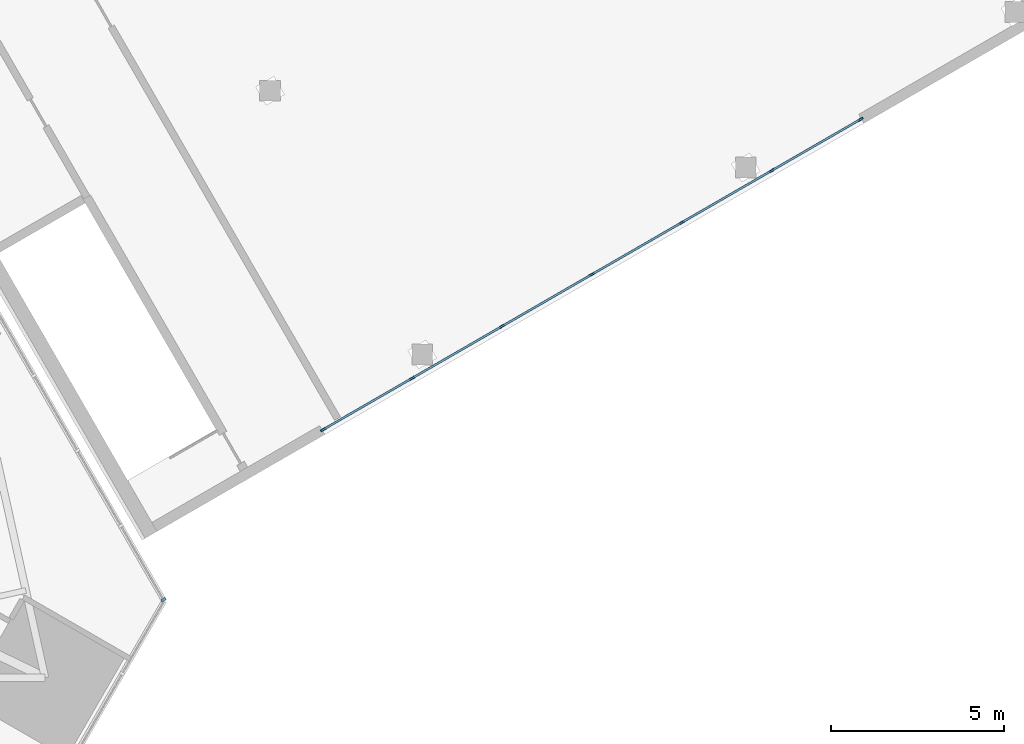
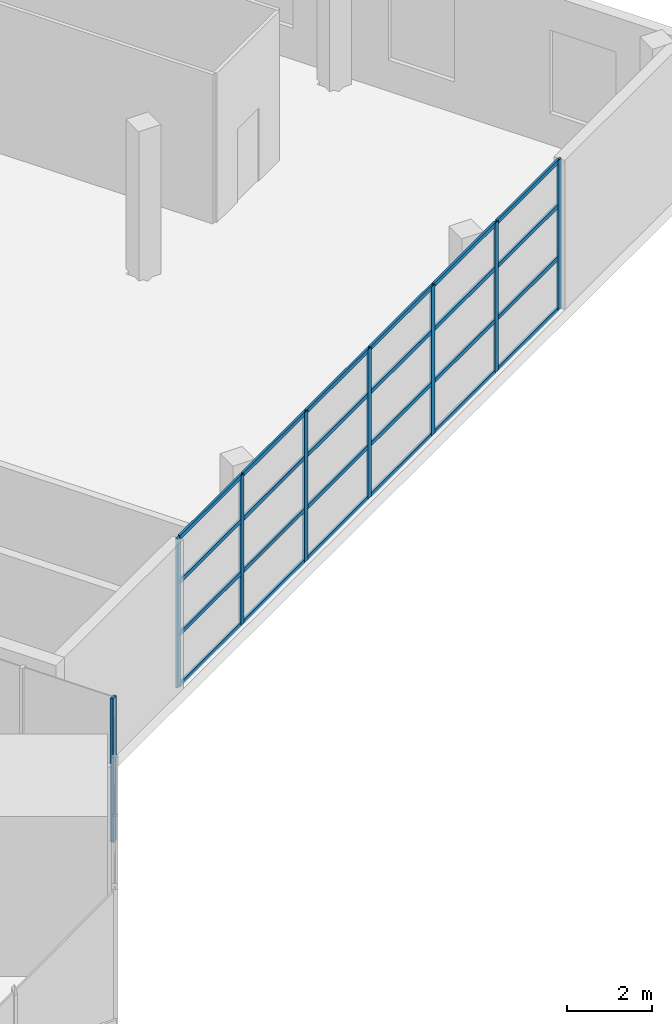
# One storey, part 12 of 23: 32 members, 2 elements without a shape of their own.
"""IFC4 building model written with IfcOpenShell, lengths in metres."""

from ifc_helpers import new_model, si_unit, direction, frame, origin, origin_2d, place, context, subcontext, project, spatial, rectangle, extrude, material, layer, layer_set, material_profile, profile_set, type_object, element, aggregate, save


model = new_model("IFC4")

# Units and contexts
model_context = context("Model", 3, precision=1e-05, world=origin(), true_north=direction((0.0, 1.0)))
body_context = subcontext(model_context, "Body", "Model", "MODEL_VIEW")
ifc_project = project(units=[si_unit("LENGTHUNIT", "METRE"), si_unit("AREAUNIT", "SQUARE_METRE"), si_unit("VOLUMEUNIT", "CUBIC_METRE"), si_unit("PLANEANGLEUNIT", "RADIAN"), si_unit("MASSUNIT", "GRAM", prefix="KILO")], contexts=[model_context])

# Site, building, storey
site_placement = place(None, origin())
site = spatial("IfcSite", under=ifc_project, at=site_placement, CompositionType="ELEMENT")
building_placement = place(site_placement, origin())
building = spatial("IfcBuilding", under=site, at=building_placement, Name="Firuza Gate Tower and Library", CompositionType="ELEMENT")
storey_placement = place(building_placement, frame((0.0, 0.0, 21.800048828125)))
storey = spatial("IfcBuildingStorey", under=building, at=storey_placement, Name="L04", CompositionType="ELEMENT", Elevation=21.800048828125)

# Curtain wall, member
ifc_material_1 = material(Name="Aluminium 6063-T6", Category="aluminium")
ifc_layer = layer(ifc_material_1, 0.14990234375)
ifc_layer_set = layer_set([ifc_layer], Name="Stick curtain wall, podium")
curtain_wall_type_1 = type_object("IfcCurtainWallType", Name="Stick curtain wall, podium", PredefinedType="NOTDEFINED", material=ifc_layer_set)
placement = place(storey_placement, origin())
curtain_wall_1 = element("IfcCurtainWall", 1, at=placement, inside=storey, type_object=curtain_wall_type_1, Name="CW5 L04 E", PredefinedType="NOTDEFINED")
ifc_material_2 = material(Name="Aluminium 6063-T6", Category="aluminium")
ifc_material_profile_1 = material_profile(ifc_material_2, rectangle(XDim=0.14990234375, YDim=0.080078125, at=origin_2d()))
ifc_profile_set_1 = profile_set([ifc_material_profile_1], Name="Aluminium 6063-T6")
member_type_1 = type_object("IfcMemberType", Name="Curtain wall mullion 80x150", PredefinedType="MULLION", material=ifc_profile_set_1)
member_1_placement = place(storey_placement, frame((107.466552734375, 60.4853515625, 0.14990234375), z_axis=(0.0, 0.0, 1.0), x_axis=(-0.866025403784, -0.5, 0.0)))
member_1 = element("IfcMember", 2, at=member_1_placement, type_object=member_type_1, Name="Mullion", PredefinedType="MULLION", context=body_context, shape_type="SweptSolid", body=[
    extrude(rectangle(XDim=0.14990234375, YDim=0.080078125, at=origin_2d()), origin(), (0.0, 0.0, 1.0), 4.150146484375),
])
aggregate(curtain_wall_1, [member_1])

# Curtain wall, members
ifc_material_3 = material(Name="Aluminium", Category="aluminium")
curtain_wall_type_2 = type_object("IfcCurtainWallType", Name="LIB CURTAIN WALL", PredefinedType="NOTDEFINED", material=ifc_material_3)
curtain_wall_2 = element("IfcCurtainWall", 3, at=placement, inside=storey, type_object=curtain_wall_type_2, Name="L04 south curtain wall", PredefinedType="NOTDEFINED")
ifc_material_4 = material(Name="Aluminium", Category="aluminium")
ifc_material_profile_2 = material_profile(ifc_material_4, rectangle(XDim=0.06005859375, YDim=0.159912109375, at=origin_2d()))
ifc_profile_set_2 = profile_set([ifc_material_profile_2], Name="Aluminium")
member_type_2 = type_object("IfcMemberType", Name="LIB MULLION 60X160", PredefinedType="MULLION", material=ifc_profile_set_2)
member_2_placement = place(storey_placement, frame((112.080078125, 65.404541015625, 0.0), z_axis=(0.0, 0.0, 1.0), x_axis=(-0.500001377656, 0.866024608393, 0.0)))
member_2 = element("IfcMember", 4, at=member_2_placement, type_object=member_type_2, Name="LIB-CW mullion 1", PredefinedType="MULLION", context=body_context, shape_type="SweptSolid", body=[
    extrude(rectangle(XDim=0.06005859375, YDim=0.159912109375, at=origin_2d()), origin(), (0.0, 0.0, 1.0), 4.300048828125),
])
member_3_placement = place(storey_placement, frame((114.65234375, 66.889404296875, 0.0), z_axis=(0.0, 0.0, 1.0), x_axis=(-0.500001377656, 0.866024608393, 0.0)))
member_3 = element("IfcMember", 5, at=member_3_placement, type_object=member_type_2, Name="LIB-CW mullion 2", PredefinedType="MULLION", context=body_context, shape_type="SweptSolid", body=[
    extrude(rectangle(XDim=0.06005859375, YDim=0.159912109375, at=origin_2d()), origin(), (0.0, 0.0, 1.0), 4.300048828125),
])
member_4_placement = place(storey_placement, frame((117.250244140625, 68.389404296875, 0.0), z_axis=(0.0, 0.0, 1.0), x_axis=(-0.500001377656, 0.866024608393, 0.0)))
member_4 = element("IfcMember", 6, at=member_4_placement, type_object=member_type_2, Name="LIB-CW mullion 3", PredefinedType="MULLION", context=body_context, shape_type="SweptSolid", body=[
    extrude(rectangle(XDim=0.06005859375, YDim=0.159912109375, at=origin_2d()), origin(), (0.0, 0.0, 1.0), 4.300048828125),
])
member_5_placement = place(storey_placement, frame((119.848388671875, 69.889404296875, 0.0), z_axis=(0.0, 0.0, 1.0), x_axis=(-0.500001377656, 0.866024608393, 0.0)))
member_5 = element("IfcMember", 7, at=member_5_placement, type_object=member_type_2, Name="LIB-CW mullion 4", PredefinedType="MULLION", context=body_context, shape_type="SweptSolid", body=[
    extrude(rectangle(XDim=0.06005859375, YDim=0.159912109375, at=origin_2d()), origin(), (0.0, 0.0, 1.0), 4.300048828125),
])
member_6_placement = place(storey_placement, frame((122.446533203125, 71.389404296875, 0.0), z_axis=(0.0, 0.0, 1.0), x_axis=(-0.500001377656, 0.866024608393, 0.0)))
member_6 = element("IfcMember", 8, at=member_6_placement, type_object=member_type_2, Name="LIB-CW mullion 5", PredefinedType="MULLION", context=body_context, shape_type="SweptSolid", body=[
    extrude(rectangle(XDim=0.06005859375, YDim=0.159912109375, at=origin_2d()), origin(), (0.0, 0.0, 1.0), 4.300048828125),
])
member_7_placement = place(storey_placement, frame((125.04443359375, 72.889404296875, 0.0), z_axis=(0.0, 0.0, 1.0), x_axis=(-0.500001377656, 0.866024608393, 0.0)))
member_7 = element("IfcMember", 9, at=member_7_placement, type_object=member_type_2, Name="LIB-CW mullion 6", PredefinedType="MULLION", context=body_context, shape_type="SweptSolid", body=[
    extrude(rectangle(XDim=0.06005859375, YDim=0.159912109375, at=origin_2d()), origin(), (0.0, 0.0, 1.0), 4.300048828125),
])
member_8_placement = place(storey_placement, frame((127.61669921875, 74.37451171875, 0.0), z_axis=(0.0, 0.0, 1.0), x_axis=(-0.500001377656, 0.866024608393, 0.0)))
member_8 = element("IfcMember", 10, at=member_8_placement, type_object=member_type_2, Name="LIB-CW mullion 7", PredefinedType="MULLION", context=body_context, shape_type="SweptSolid", body=[
    extrude(rectangle(XDim=0.06005859375, YDim=0.159912109375, at=origin_2d()), origin(), (0.0, 0.0, 1.0), 4.300048828125),
])
ifc_material_5 = material(Name="Aluminium", Category="aluminium")
ifc_material_profile_3 = material_profile(ifc_material_5, rectangle(XDim=0.06005859375, YDim=0.1201171875, at=origin_2d()))
ifc_profile_set_3 = profile_set([ifc_material_profile_3], Name="Aluminium")
member_type_3 = type_object("IfcMemberType", Name="LIB TRANSOM 60X120", PredefinedType="USERDEFINED", material=ifc_profile_set_3)
member_9_placement = place(storey_placement, frame((112.106201171875, 65.41943359375, 0.030029296875), z_axis=(0.866003949776, 0.500037157592, 0.0), x_axis=(-0.500037157592, 0.866003949776, 0.0)))
member_9 = element("IfcMember", 11, at=member_9_placement, type_object=member_type_3, Name="LIB-CW transom 1.1", ObjectType="TRANSOM", PredefinedType="USERDEFINED", context=body_context, shape_type="SweptSolid", body=[
    extrude(rectangle(XDim=0.06005859375, YDim=0.1201171875, at=origin_2d()), origin(), (0.0, 0.0, 1.0), 2.909912109375),
])
member_10_placement = place(storey_placement, frame((112.106201171875, 65.41943359375, 1.5), z_axis=(0.866003949776, 0.500037157592, 0.0), x_axis=(-0.500037157592, 0.866003949776, 0.0)))
member_10 = element("IfcMember", 12, at=member_10_placement, type_object=member_type_3, Name="LIB-CW transom 1.2", ObjectType="TRANSOM", PredefinedType="USERDEFINED", context=body_context, shape_type="SweptSolid", body=[
    extrude(rectangle(XDim=0.06005859375, YDim=0.1201171875, at=origin_2d()), origin(), (0.0, 0.0, 1.0), 2.909912109375),
])
member_11_placement = place(storey_placement, frame((112.106201171875, 65.41943359375, 3.0), z_axis=(0.866003949776, 0.500037157592, 0.0), x_axis=(-0.500037157592, 0.866003949776, 0.0)))
member_11 = element("IfcMember", 13, at=member_11_placement, type_object=member_type_3, Name="LIB-CW transom 1.3", ObjectType="TRANSOM", PredefinedType="USERDEFINED", context=body_context, shape_type="SweptSolid", body=[
    extrude(rectangle(XDim=0.06005859375, YDim=0.1201171875, at=origin_2d()), origin(), (0.0, 0.0, 1.0), 2.909912109375),
])
member_12_placement = place(storey_placement, frame((112.106201171875, 65.41943359375, 4.27001953125), z_axis=(0.866003949776, 0.500037157592, 0.0), x_axis=(-0.500037157592, 0.866003949776, 0.0)))
member_12 = element("IfcMember", 14, at=member_12_placement, type_object=member_type_3, Name="LIB-CW transom 1.4", ObjectType="TRANSOM", PredefinedType="USERDEFINED", context=body_context, shape_type="SweptSolid", body=[
    extrude(rectangle(XDim=0.06005859375, YDim=0.1201171875, at=origin_2d()), origin(), (0.0, 0.0, 1.0), 2.909912109375),
])
member_13_placement = place(storey_placement, frame((114.67822265625, 66.904541015625, 0.030029296875), z_axis=(0.866032090307, 0.499988418424, 0.0), x_axis=(-0.499988418424, 0.866032090307, 0.0)))
member_13 = element("IfcMember", 15, at=member_13_placement, type_object=member_type_3, Name="LIB-CW transom 2.1", ObjectType="TRANSOM", PredefinedType="USERDEFINED", context=body_context, shape_type="SweptSolid", body=[
    extrude(rectangle(XDim=0.06005859375, YDim=0.1201171875, at=origin_2d()), origin(), (0.0, 0.0, 1.0), 2.93994140625),
])
member_14_placement = place(storey_placement, frame((114.67822265625, 66.904541015625, 1.5), z_axis=(0.866032090307, 0.499988418424, 0.0), x_axis=(-0.499988418424, 0.866032090307, 0.0)))
member_14 = element("IfcMember", 16, at=member_14_placement, type_object=member_type_3, Name="LIB-CW transom 2.2", ObjectType="TRANSOM", PredefinedType="USERDEFINED", context=body_context, shape_type="SweptSolid", body=[
    extrude(rectangle(XDim=0.06005859375, YDim=0.1201171875, at=origin_2d()), origin(), (0.0, 0.0, 1.0), 2.93994140625),
])
member_15_placement = place(storey_placement, frame((114.67822265625, 66.904541015625, 3.0), z_axis=(0.866032090307, 0.499988418424, 0.0), x_axis=(-0.499988418424, 0.866032090307, 0.0)))
member_15 = element("IfcMember", 17, at=member_15_placement, type_object=member_type_3, Name="LIB-CW transom 2.3", ObjectType="TRANSOM", PredefinedType="USERDEFINED", context=body_context, shape_type="SweptSolid", body=[
    extrude(rectangle(XDim=0.06005859375, YDim=0.1201171875, at=origin_2d()), origin(), (0.0, 0.0, 1.0), 2.93994140625),
])
member_16_placement = place(storey_placement, frame((114.67822265625, 66.904541015625, 4.27001953125), z_axis=(0.866032090307, 0.499988418424, 0.0), x_axis=(-0.499988418424, 0.866032090307, 0.0)))
member_16 = element("IfcMember", 18, at=member_16_placement, type_object=member_type_3, Name="LIB-CW transom 2.4", ObjectType="TRANSOM", PredefinedType="USERDEFINED", context=body_context, shape_type="SweptSolid", body=[
    extrude(rectangle(XDim=0.06005859375, YDim=0.1201171875, at=origin_2d()), origin(), (0.0, 0.0, 1.0), 2.93994140625),
])
member_17_placement = place(storey_placement, frame((117.2763671875, 68.404541015625, 0.030029296875), z_axis=(0.866032090307, 0.499988418424, 0.0), x_axis=(-0.499988418424, 0.866032090307, 0.0)))
member_17 = element("IfcMember", 19, at=member_17_placement, type_object=member_type_3, Name="LIB-CW transom 3.1", ObjectType="TRANSOM", PredefinedType="USERDEFINED", context=body_context, shape_type="SweptSolid", body=[
    extrude(rectangle(XDim=0.06005859375, YDim=0.1201171875, at=origin_2d()), origin(), (0.0, 0.0, 1.0), 2.93994140625),
])
member_18_placement = place(storey_placement, frame((117.2763671875, 68.404541015625, 1.5), z_axis=(0.866032090307, 0.499988418424, 0.0), x_axis=(-0.499988418424, 0.866032090307, 0.0)))
member_18 = element("IfcMember", 20, at=member_18_placement, type_object=member_type_3, Name="LIB-CW transom 3.2", ObjectType="TRANSOM", PredefinedType="USERDEFINED", context=body_context, shape_type="SweptSolid", body=[
    extrude(rectangle(XDim=0.06005859375, YDim=0.1201171875, at=origin_2d()), origin(), (0.0, 0.0, 1.0), 2.93994140625),
])
member_19_placement = place(storey_placement, frame((117.2763671875, 68.404541015625, 3.0), z_axis=(0.866032090307, 0.499988418424, 0.0), x_axis=(-0.499988418424, 0.866032090307, 0.0)))
member_19 = element("IfcMember", 21, at=member_19_placement, type_object=member_type_3, Name="LIB-CW transom 3.3", ObjectType="TRANSOM", PredefinedType="USERDEFINED", context=body_context, shape_type="SweptSolid", body=[
    extrude(rectangle(XDim=0.06005859375, YDim=0.1201171875, at=origin_2d()), origin(), (0.0, 0.0, 1.0), 2.93994140625),
])
member_20_placement = place(storey_placement, frame((117.2763671875, 68.404541015625, 4.27001953125), z_axis=(0.866032090307, 0.499988418424, 0.0), x_axis=(-0.499988418424, 0.866032090307, 0.0)))
member_20 = element("IfcMember", 22, at=member_20_placement, type_object=member_type_3, Name="LIB-CW transom 3.4", ObjectType="TRANSOM", PredefinedType="USERDEFINED", context=body_context, shape_type="SweptSolid", body=[
    extrude(rectangle(XDim=0.06005859375, YDim=0.1201171875, at=origin_2d()), origin(), (0.0, 0.0, 1.0), 2.93994140625),
])
member_21_placement = place(storey_placement, frame((119.874267578125, 69.904541015625, 0.030029296875), z_axis=(0.866032090307, 0.499988418424, 0.0), x_axis=(-0.499988418424, 0.866032090307, 0.0)))
member_21 = element("IfcMember", 23, at=member_21_placement, type_object=member_type_3, Name="LIB-CW transom 4.1", ObjectType="TRANSOM", PredefinedType="USERDEFINED", context=body_context, shape_type="SweptSolid", body=[
    extrude(rectangle(XDim=0.06005859375, YDim=0.1201171875, at=origin_2d()), origin(), (0.0, 0.0, 1.0), 2.93994140625),
])
member_22_placement = place(storey_placement, frame((119.874267578125, 69.904541015625, 1.5), z_axis=(0.866032090307, 0.499988418424, 0.0), x_axis=(-0.499988418424, 0.866032090307, 0.0)))
member_22 = element("IfcMember", 24, at=member_22_placement, type_object=member_type_3, Name="LIB-CW transom 4.2", ObjectType="TRANSOM", PredefinedType="USERDEFINED", context=body_context, shape_type="SweptSolid", body=[
    extrude(rectangle(XDim=0.06005859375, YDim=0.1201171875, at=origin_2d()), origin(), (0.0, 0.0, 1.0), 2.93994140625),
])
member_23_placement = place(storey_placement, frame((119.874267578125, 69.904541015625, 3.0), z_axis=(0.866032090307, 0.499988418424, 0.0), x_axis=(-0.499988418424, 0.866032090307, 0.0)))
member_23 = element("IfcMember", 25, at=member_23_placement, type_object=member_type_3, Name="LIB-CW transom 4.3", ObjectType="TRANSOM", PredefinedType="USERDEFINED", context=body_context, shape_type="SweptSolid", body=[
    extrude(rectangle(XDim=0.06005859375, YDim=0.1201171875, at=origin_2d()), origin(), (0.0, 0.0, 1.0), 2.93994140625),
])
member_24_placement = place(storey_placement, frame((119.874267578125, 69.904541015625, 4.27001953125), z_axis=(0.866032090307, 0.499988418424, 0.0), x_axis=(-0.499988418424, 0.866032090307, 0.0)))
member_24 = element("IfcMember", 26, at=member_24_placement, type_object=member_type_3, Name="LIB-CW transom 4.4", ObjectType="TRANSOM", PredefinedType="USERDEFINED", context=body_context, shape_type="SweptSolid", body=[
    extrude(rectangle(XDim=0.06005859375, YDim=0.1201171875, at=origin_2d()), origin(), (0.0, 0.0, 1.0), 2.93994140625),
])
member_25_placement = place(storey_placement, frame((122.472412109375, 71.404541015625, 0.030029296875), z_axis=(0.866032090307, 0.499988418424, 0.0), x_axis=(-0.499988418424, 0.866032090307, 0.0)))
member_25 = element("IfcMember", 27, at=member_25_placement, type_object=member_type_3, Name="LIB-CW transom 5.1", ObjectType="TRANSOM", PredefinedType="USERDEFINED", context=body_context, shape_type="SweptSolid", body=[
    extrude(rectangle(XDim=0.06005859375, YDim=0.1201171875, at=origin_2d()), origin(), (0.0, 0.0, 1.0), 2.93994140625),
])
member_26_placement = place(storey_placement, frame((122.472412109375, 71.404541015625, 1.5), z_axis=(0.866032090307, 0.499988418424, 0.0), x_axis=(-0.499988418424, 0.866032090307, 0.0)))
member_26 = element("IfcMember", 28, at=member_26_placement, type_object=member_type_3, Name="LIB-CW transom 5.2", ObjectType="TRANSOM", PredefinedType="USERDEFINED", context=body_context, shape_type="SweptSolid", body=[
    extrude(rectangle(XDim=0.06005859375, YDim=0.1201171875, at=origin_2d()), origin(), (0.0, 0.0, 1.0), 2.93994140625),
])
member_27_placement = place(storey_placement, frame((122.472412109375, 71.404541015625, 3.0), z_axis=(0.866032090307, 0.499988418424, 0.0), x_axis=(-0.499988418424, 0.866032090307, 0.0)))
member_27 = element("IfcMember", 29, at=member_27_placement, type_object=member_type_3, Name="LIB-CW transom 5.3", ObjectType="TRANSOM", PredefinedType="USERDEFINED", context=body_context, shape_type="SweptSolid", body=[
    extrude(rectangle(XDim=0.06005859375, YDim=0.1201171875, at=origin_2d()), origin(), (0.0, 0.0, 1.0), 2.93994140625),
])
member_28_placement = place(storey_placement, frame((122.472412109375, 71.404541015625, 4.27001953125), z_axis=(0.866032090307, 0.499988418424, 0.0), x_axis=(-0.499988418424, 0.866032090307, 0.0)))
member_28 = element("IfcMember", 30, at=member_28_placement, type_object=member_type_3, Name="LIB-CW transom 5.4", ObjectType="TRANSOM", PredefinedType="USERDEFINED", context=body_context, shape_type="SweptSolid", body=[
    extrude(rectangle(XDim=0.06005859375, YDim=0.1201171875, at=origin_2d()), origin(), (0.0, 0.0, 1.0), 2.93994140625),
])
member_29_placement = place(storey_placement, frame((125.070556640625, 72.904541015625, 0.030029296875), z_axis=(0.866003949776, 0.500037157592, 0.0), x_axis=(-0.500037157592, 0.866003949776, 0.0)))
member_29 = element("IfcMember", 31, at=member_29_placement, type_object=member_type_3, Name="LIB-CW transom 6.1", ObjectType="TRANSOM", PredefinedType="USERDEFINED", context=body_context, shape_type="SweptSolid", body=[
    extrude(rectangle(XDim=0.06005859375, YDim=0.1201171875, at=origin_2d()), origin(), (0.0, 0.0, 1.0), 2.909912109375),
])
member_30_placement = place(storey_placement, frame((125.070556640625, 72.904541015625, 1.5), z_axis=(0.866003949776, 0.500037157592, 0.0), x_axis=(-0.500037157592, 0.866003949776, 0.0)))
member_30 = element("IfcMember", 32, at=member_30_placement, type_object=member_type_3, Name="LIB-CW transom 6.2", ObjectType="TRANSOM", PredefinedType="USERDEFINED", context=body_context, shape_type="SweptSolid", body=[
    extrude(rectangle(XDim=0.06005859375, YDim=0.1201171875, at=origin_2d()), origin(), (0.0, 0.0, 1.0), 2.909912109375),
])
member_31_placement = place(storey_placement, frame((125.070556640625, 72.904541015625, 3.0), z_axis=(0.866003949776, 0.500037157592, 0.0), x_axis=(-0.500037157592, 0.866003949776, 0.0)))
member_31 = element("IfcMember", 33, at=member_31_placement, type_object=member_type_3, Name="LIB-CW transom 6.3", ObjectType="TRANSOM", PredefinedType="USERDEFINED", context=body_context, shape_type="SweptSolid", body=[
    extrude(rectangle(XDim=0.06005859375, YDim=0.1201171875, at=origin_2d()), origin(), (0.0, 0.0, 1.0), 2.909912109375),
])
member_32_placement = place(storey_placement, frame((125.070556640625, 72.904541015625, 4.27001953125), z_axis=(0.866003949776, 0.500037157592, 0.0), x_axis=(-0.500037157592, 0.866003949776, 0.0)))
member_32 = element("IfcMember", 34, at=member_32_placement, type_object=member_type_3, Name="LIB-CW transom 6.4", ObjectType="TRANSOM", PredefinedType="USERDEFINED", context=body_context, shape_type="SweptSolid", body=[
    extrude(rectangle(XDim=0.06005859375, YDim=0.1201171875, at=origin_2d()), origin(), (0.0, 0.0, 1.0), 2.909912109375),
])
aggregate(curtain_wall_2, [member_2, member_3, member_4, member_5, member_6, member_7, member_8, member_9, member_10, member_11, member_12, member_13, member_14, member_15, member_16, member_17, member_18, member_19, member_20, member_21, member_22, member_23, member_24, member_25, member_26, member_27, member_28, member_29, member_30, member_31, member_32])

save(model, "model.ifc")
